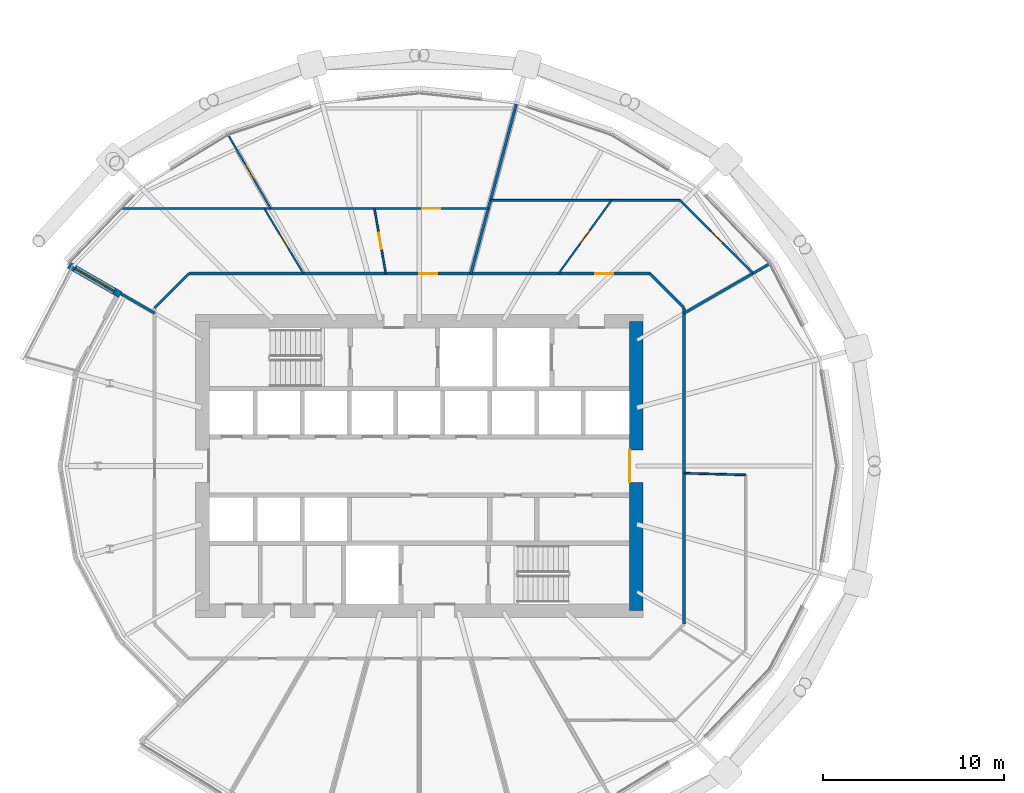
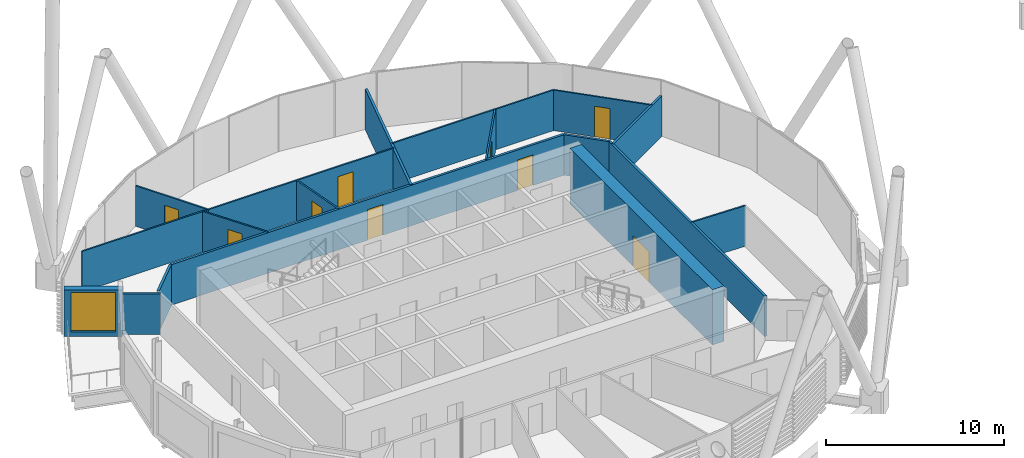
# One storey, part 29 of 39: 18 walls, 9 doors, 1 window, 10 openings.
"""IFC4 building model written with IfcOpenShell, lengths in metres."""

from ifc_helpers import new_model, si_unit, direction, frame, frame_2d, origin, place, context, subcontext, project, spatial, rectangle, extrude, material, layer, layer_set, type_object, element, fill, save


model = new_model("IFC4")

# Units and contexts
model_context = context("Model", 3, precision=1e-05, world=origin(), true_north=direction((0.0, 1.0)))
body_context = subcontext(model_context, "Body", "Model", "MODEL_VIEW")
ifc_project = project(units=[si_unit("LENGTHUNIT", "METRE"), si_unit("AREAUNIT", "SQUARE_METRE"), si_unit("VOLUMEUNIT", "CUBIC_METRE"), si_unit("PLANEANGLEUNIT", "RADIAN"), si_unit("MASSUNIT", "GRAM", prefix="KILO")], contexts=[model_context])

# Site, building, storey
site_placement = place(None, origin())
site = spatial("IfcSite", under=ifc_project, at=site_placement, CompositionType="ELEMENT")
building_placement = place(site_placement, origin())
building = spatial("IfcBuilding", under=site, at=building_placement, Name="Rimbun Link Towers", CompositionType="ELEMENT")
storey_placement = place(building_placement, frame((0.0, 0.0, 115.800048828125)))
storey = spatial("IfcBuildingStorey", under=building, at=storey_placement, Name="L28", CompositionType="ELEMENT", Elevation=115.800048828125)

# Wall, opening, window
ifc_material_1 = material(Name="Dark enamelled glass spandrel on insulated aluminium backpan", Category="aluminium")
ifc_layer_1 = layer(ifc_material_1, 0.3701171875)
ifc_layer_set_1 = layer_set([ifc_layer_1], Name="CS dark enamelled spandrel wall 370")
wall_type_1 = type_object("IfcWallType", Name="CS dark enamelled spandrel wall 370", PredefinedType="STANDARD", material=ifc_layer_set_1)
wall_1_placement = place(storey_placement, frame((-48.298095703125, 9.47900390625, 0.0), z_axis=(0.0, 0.0, 1.0), x_axis=(-0.866040564224, 0.499973740429, 0.0)))
wall_1 = element("IfcWall", 1, at=wall_1_placement, inside=storey, type_object=wall_type_1, Name="Crease spandrel wall", PredefinedType="STANDARD", context=body_context, shape_type="SweptSolid", body=[
    extrude(rectangle(XDim=3.280029296875, YDim=0.3701171875, at=frame_2d((1.64013671875, 0.0))), origin(), (0.0, 0.0, 1.0), 3.176513671875),
])
opening_1_placement = place(wall_1_placement, frame((0.389892578125, 0.0, 0.300048828125)))
opening_1 = element("IfcOpeningElement", 2, at=opening_1_placement, cuts=wall_1, Name="Opening WR25H270", PredefinedType="OPENING", context=body_context, shape_type="SweptSolid", body=[
    extrude(rectangle(XDim=2.5, YDim=2.699951171875, at=frame_2d((1.25, 1.35009765625))), frame((0.0, 0.195068359375, 0.0), z_axis=(0.0, -1.0, 0.0), x_axis=(1.0, 0.0, 0.0)), (0.0, 0.0, 1.0), 0.39013671875),
])
ifc_material_2 = material(Name="Aluminium framed fixed window, dark tinted low-e glass", Category="aluminium")
window_type = type_object("IfcWindowType", Name="WR ribbon window 2500X2700", PartitioningType="SINGLE_PANEL", PredefinedType="WINDOW", material=ifc_material_2)
window_placement = place(opening_1_placement, origin())
window = element("IfcWindow", 3, at=window_placement, inside=storey, type_object=window_type, Name="Crease ribbon window", OverallHeight=2.699951171875, OverallWidth=2.5, PartitioningType="SINGLE_PANEL", PredefinedType="WINDOW", context=body_context, shape_type="SweptSolid", body=[
    extrude(rectangle(XDim=2.5, YDim=2.699951171875, at=frame_2d((1.25, 1.35009765625))), frame((0.0, 0.030029296875, 0.0), z_axis=(0.0, -1.0, 0.0), x_axis=(1.0, 0.0, 0.0)), (0.0, 0.0, 1.0), 0.06005859375),
])
fill(opening_1, window)

# Wall, opening, door
ifc_material_3 = material(Name="Concrete C60/75", Category="concrete")
ifc_layer_2 = layer(ifc_material_3, 0.75)
ifc_layer_set_2 = layer_set([ifc_layer_2], Name="Core shear wall 750")
wall_type_2 = type_object("IfcWallType", Name="Core shear wall 750", PredefinedType="SHEAR", material=ifc_layer_set_2)
wall_2_placement = place(storey_placement, frame((-19.75, -8.0, 0.0), z_axis=(0.0, 0.0, 1.0), x_axis=(0.0, 1.0, 0.0)))
wall_2 = element("IfcWall", 4, at=wall_2_placement, inside=storey, type_object=wall_type_2, Name="L28 T1 core wall E", PredefinedType="SHEAR", context=body_context, shape_type="SweptSolid", body=[
    extrude(rectangle(XDim=16.0, YDim=0.75, at=frame_2d((8.0, 0.0))), origin(), (0.0, 0.0, 1.0), 3.800048828125),
])
opening_2_placement = place(wall_2_placement, frame((7.10009765625, 0.0, 0.0)))
opening_2 = element("IfcOpeningElement", 5, at=opening_2_placement, cuts=wall_2, Name="Opening C1DCL01E", PredefinedType="OPENING", context=body_context, shape_type="SweptSolid", body=[
    extrude(rectangle(XDim=1.800048828125, YDim=2.10009765625, at=frame_2d((0.89990234375, 1.050048828125))), frame((0.0, 0.385009765625, 0.0), z_axis=(0.0, -1.0, 0.0), x_axis=(1.0, 0.0, 0.0)), (0.0, 0.0, 1.0), 0.77001953125),
])
ifc_material_4 = material(Name="Steel fire door set", Category="steel")
door_type_1 = type_object("IfcDoorType", Name="Core lobby door double", OperationType="DOUBLE_DOOR_SINGLE_SWING", PredefinedType="DOOR", material=ifc_material_4)
door_1_placement = place(opening_2_placement, origin())
door_1 = element("IfcDoor", 6, at=door_1_placement, inside=storey, type_object=door_type_1, Name="L28 T1 lift lobby door", OperationType="DOUBLE_DOOR_SINGLE_SWING", OverallHeight=2.10009765625, OverallWidth=1.800048828125, PredefinedType="DOOR", context=body_context, shape_type="SweptSolid", body=[
    extrude(rectangle(XDim=1.800048828125, YDim=2.10009765625, at=frame_2d((0.89990234375, 1.050048828125))), frame((0.0, 0.375, 0.0), z_axis=(0.0, -1.0, 0.0), x_axis=(1.0, 0.0, 0.0)), (0.0, 0.0, 1.0), 0.050048828125),
])
fill(opening_2, door_1)

# Wall, openings, doors
ifc_material_5 = material(Name="Plasterboard on steel stud, mineral wool", Category="steel")
ifc_layer_3 = layer(ifc_material_5, 0.14990234375)
ifc_layer_set_3 = layer_set([ifc_layer_3], Name="Corridor wall EI 30 150 mm")
wall_type_3 = type_object("IfcWallType", Name="Corridor wall EI 30 150 mm", PredefinedType="PARTITIONING", material=ifc_layer_set_3)
wall_3_placement = place(storey_placement, frame((-44.501708984375, 10.64990234375, 0.0), z_axis=(0.0, 0.0, 1.0), x_axis=(1.0, 0.0, 0.0)))
wall_3 = element("IfcWall", 7, at=wall_3_placement, inside=storey, type_object=wall_type_3, Name="Corridor wall EI 30 150 mm", PredefinedType="PARTITIONING", context=body_context, shape_type="SweptSolid", body=[
    extrude(rectangle(XDim=25.50341796875, YDim=0.14990234375, at=frame_2d((12.751708984375, 0.0))), origin(), (0.0, 0.0, 1.0), 2.779052734375),
])
opening_3_placement = place(wall_3_placement, frame((22.479248046875, 0.0, 0.0)))
opening_3 = element("IfcOpeningElement", 8, at=opening_3_placement, cuts=wall_3, Name="Opening D01", PredefinedType="OPENING", context=body_context, shape_type="SweptSolid", body=[
    extrude(rectangle(XDim=1.0, YDim=2.10009765625, at=frame_2d((0.5, 1.050048828125))), frame((0.0, 0.0849609375, 0.0), z_axis=(0.0, -1.0, 0.0), x_axis=(1.0, 0.0, 0.0)), (0.0, 0.0, 1.0), 0.169921875),
])
opening_4_placement = place(wall_3_placement, frame((12.750244140625, 0.0, 0.0)))
opening_4 = element("IfcOpeningElement", 9, at=opening_4_placement, cuts=wall_3, Name="Opening D01", PredefinedType="OPENING", context=body_context, shape_type="SweptSolid", body=[
    extrude(rectangle(XDim=1.0, YDim=2.10009765625, at=frame_2d((0.5, 1.050048828125))), frame((0.0, 0.0849609375, 0.0), z_axis=(0.0, -1.0, 0.0), x_axis=(1.0, 0.0, 0.0)), (0.0, 0.0, 1.0), 0.169921875),
])
ifc_material_6 = material(Name="Fire-resisting timber door leaf", Category="wood")
door_type_2 = type_object("IfcDoorType", Name="Fire door FD30S 1000", OperationType="NOTDEFINED", PredefinedType="DOOR", material=ifc_material_6)
door_2_placement = place(opening_3_placement, origin())
door_2 = element("IfcDoor", 10, at=door_2_placement, inside=storey, type_object=door_type_2, Name="Fire door FD30S 1000 to Reception", OperationType="SINGLE_SWING_LEFT", OverallHeight=2.10009765625, OverallWidth=1.0, PredefinedType="DOOR", context=body_context, shape_type="SweptSolid", body=[
    extrude(rectangle(XDim=1.0, YDim=2.10009765625, at=frame_2d((0.5, 1.050048828125))), frame((0.0, 0.02490234375, 0.0), z_axis=(0.0, -1.0, 0.0), x_axis=(1.0, 0.0, 0.0)), (0.0, 0.0, 1.0), 0.050048828125),
])
fill(opening_3, door_2)
door_3_placement = place(opening_4_placement, origin())
door_3 = element("IfcDoor", 11, at=door_3_placement, inside=storey, type_object=door_type_2, Name="Fire door FD30S 1000 to Reception", OperationType="SINGLE_SWING_RIGHT", OverallHeight=2.10009765625, OverallWidth=1.0, PredefinedType="DOOR", context=body_context, shape_type="SweptSolid", body=[
    extrude(rectangle(XDim=1.0, YDim=2.10009765625, at=frame_2d((0.5, 1.050048828125))), frame((0.0, 0.02490234375, 0.0), z_axis=(0.0, -1.0, 0.0), x_axis=(1.0, 0.0, 0.0)), (0.0, 0.0, 1.0), 0.050048828125),
])
fill(opening_4, door_3)

# Walls
wall_4_placement = place(storey_placement, frame((-17.10009765625, 8.751708984375, 0.0), z_axis=(0.0, 0.0, 1.0), x_axis=(-0.707106781187, 0.707106781187, 0.0)))
element("IfcWall", 12, at=wall_4_placement, inside=storey, type_object=wall_type_3, Name="Corridor wall EI 30 150 mm", PredefinedType="PARTITIONING", context=body_context, shape_type="SweptSolid", body=[
    extrude(rectangle(XDim=2.6845703125, YDim=0.14990234375, at=frame_2d((1.34228515625, 0.0))), origin(), (0.0, 0.0, 1.0), 2.779052734375),
])
wall_5_placement = place(storey_placement, frame((-17.10009765625, -8.751708984375, 0.0), z_axis=(0.0, 0.0, 1.0), x_axis=(0.0, 1.0, 0.0)))
element("IfcWall", 13, at=wall_5_placement, inside=storey, type_object=wall_type_3, Name="Corridor wall EI 30 150 mm", PredefinedType="PARTITIONING", context=body_context, shape_type="SweptSolid", body=[
    extrude(rectangle(XDim=17.50341796875, YDim=0.14990234375, at=frame_2d((8.751708984375, 0.0))), origin(), (0.0, 0.0, 1.0), 2.779052734375),
])
wall_6_placement = place(storey_placement, frame((-44.501708984375, 10.64990234375, 0.0), z_axis=(0.0, 0.0, 1.0), x_axis=(-0.707106781187, -0.707106781187, 0.0)))
element("IfcWall", 14, at=wall_6_placement, inside=storey, type_object=wall_type_3, Name="Corridor wall EI 30 150 mm", PredefinedType="PARTITIONING", context=body_context, shape_type="SweptSolid", body=[
    extrude(rectangle(XDim=2.6845703125, YDim=0.14990234375, at=frame_2d((1.34228515625, 0.0))), origin(), (0.0, 0.0, 1.0), 2.779052734375),
])
ifc_material_7 = material(Name="Plasterboard on steel stud", Category="steel")
ifc_layer_4 = layer(ifc_material_7, 0.10009765625)
ifc_layer_set_4 = layer_set([ifc_layer_4], Name="Plasterboard partition 100 mm")
wall_type_4 = type_object("IfcWallType", Name="Plasterboard partition 100 mm", PredefinedType="PARTITIONING", material=ifc_layer_set_4)
wall_7_placement = place(storey_placement, frame((-13.679931640625, -0.4921875, 0.0), z_axis=(0.0, 0.0, 1.0), x_axis=(-0.999628430249, 0.027258052706, 0.0)))
element("IfcWall", 15, at=wall_7_placement, inside=storey, type_object=wall_type_4, Name="Plasterboard partition 100 mm", PredefinedType="PARTITIONING", context=body_context, shape_type="SweptSolid", body=[
    extrude(rectangle(XDim=3.42138671875, YDim=0.10009765625, at=frame_2d((1.710693359375, 0.0))), origin(), (0.0, 0.0, 1.0), 2.779052734375),
])

# Wall, opening, door
wall_8_placement = place(storey_placement, frame((-24.04638671875, 10.64990234375, 0.0), z_axis=(0.0, 0.0, 1.0), x_axis=(0.586069984191, 0.810260435681, 0.0)))
wall_8 = element("IfcWall", 16, at=wall_8_placement, inside=storey, type_object=wall_type_4, Name="Plasterboard partition 100 mm", PredefinedType="PARTITIONING", context=body_context, shape_type="SweptSolid", body=[
    extrude(rectangle(XDim=4.99853515625, YDim=0.10009765625, at=frame_2d((2.499267578125, 0.0))), origin(), (0.0, 0.0, 1.0), 2.779052734375),
])
opening_5_placement = place(wall_8_placement, frame((2.04931640625, 0.0, 0.0)))
opening_5 = element("IfcOpeningElement", 17, at=opening_5_placement, cuts=wall_8, Name="Opening D04", PredefinedType="OPENING", context=body_context, shape_type="SweptSolid", body=[
    extrude(rectangle(XDim=0.89990234375, YDim=2.10009765625, at=frame_2d((0.449951171875, 1.050048828125))), frame((0.0, 0.06005859375, 0.0), z_axis=(0.0, -1.0, 0.0), x_axis=(1.0, 0.0, 0.0)), (0.0, 0.0, 1.0), 0.1201171875),
])
ifc_material_8 = material(Name="Timber door leaf", Category="wood")
door_type_3 = type_object("IfcDoorType", Name="Flush door 900", OperationType="NOTDEFINED", PredefinedType="DOOR", material=ifc_material_8)
door_4_placement = place(opening_5_placement, origin())
door_4 = element("IfcDoor", 18, at=door_4_placement, inside=storey, type_object=door_type_3, Name="Flush door 900 to Pantry", OperationType="SINGLE_SWING_RIGHT", OverallHeight=2.10009765625, OverallWidth=0.89990234375, PredefinedType="DOOR", context=body_context, shape_type="SweptSolid", body=[
    extrude(rectangle(XDim=0.89990234375, YDim=2.10009765625, at=frame_2d((0.449951171875, 1.050048828125))), frame((0.0, 0.02490234375, 0.0), z_axis=(0.0, -1.0, 0.0), x_axis=(1.0, 0.0, 0.0)), (0.0, 0.0, 1.0), 0.050048828125),
])
fill(opening_5, door_4)

wall_9_placement = place(storey_placement, frame((-17.32080078125, 14.699951171875, 0.0), z_axis=(0.0, 0.0, 1.0), x_axis=(0.707128157168, -0.707085404559, 0.0)))
wall_9 = element("IfcWall", 19, at=wall_9_placement, inside=storey, type_object=wall_type_4, Name="Plasterboard partition 100 mm", PredefinedType="PARTITIONING", context=body_context, shape_type="SweptSolid", body=[
    extrude(rectangle(XDim=5.71044921875, YDim=0.10009765625, at=frame_2d((2.855224609375, 0.0))), origin(), (0.0, 0.0, 1.0), 2.779052734375),
])
opening_6_placement = place(wall_9_placement, frame((2.4052734375, 0.0, 0.0)))
opening_6 = element("IfcOpeningElement", 20, at=opening_6_placement, cuts=wall_9, Name="Opening D04", PredefinedType="OPENING", context=body_context, shape_type="SweptSolid", body=[
    extrude(rectangle(XDim=0.89990234375, YDim=2.10009765625, at=frame_2d((0.449951171875, 1.050048828125))), frame((0.0, 0.06005859375, 0.0), z_axis=(0.0, -1.0, 0.0), x_axis=(1.0, 0.0, 0.0)), (0.0, 0.0, 1.0), 0.1201171875),
])
door_5_placement = place(opening_6_placement, origin())
door_5 = element("IfcDoor", 21, at=door_5_placement, inside=storey, type_object=door_type_3, Name="Flush door 900 to Meeting room", OperationType="SINGLE_SWING_LEFT", OverallHeight=2.10009765625, OverallWidth=0.89990234375, PredefinedType="DOOR", context=body_context, shape_type="SweptSolid", body=[
    extrude(rectangle(XDim=0.89990234375, YDim=2.10009765625, at=frame_2d((0.449951171875, 1.050048828125))), frame((0.0, 0.02490234375, 0.0), z_axis=(0.0, -1.0, 0.0), x_axis=(1.0, 0.0, 0.0)), (0.0, 0.0, 1.0), 0.050048828125),
])
fill(opening_6, door_5)

# Wall
wall_10_placement = place(storey_placement, frame((-17.32080078125, 14.699951171875, 0.0), z_axis=(0.0, 0.0, 1.0), x_axis=(-1.0, 0.0, 0.0)))
element("IfcWall", 22, at=wall_10_placement, inside=storey, type_object=wall_type_4, Name="Plasterboard partition 100 mm", PredefinedType="PARTITIONING", context=body_context, shape_type="SweptSolid", body=[
    extrude(rectangle(XDim=10.490478515625, YDim=0.10009765625, at=frame_2d((5.2451171875, 0.0))), origin(), (0.0, 0.0, 1.0), 2.779052734375),
])

# Wall, opening, door
wall_11_placement = place(storey_placement, frame((-33.606689453125, 10.64990234375, 0.0), z_axis=(0.0, 0.0, 1.0), x_axis=(-0.171696410246, 0.985149908749, 0.0)))
wall_11 = element("IfcWall", 23, at=wall_11_placement, inside=storey, type_object=wall_type_4, Name="Plasterboard partition 100 mm", PredefinedType="PARTITIONING", context=body_context, shape_type="SweptSolid", body=[
    extrude(rectangle(XDim=3.654296875, YDim=0.10009765625, at=frame_2d((1.8271484375, 0.0))), origin(), (0.0, 0.0, 1.0), 2.779052734375),
])
opening_7_placement = place(wall_11_placement, frame((1.377197265625, 0.0, 0.0)))
opening_7 = element("IfcOpeningElement", 24, at=opening_7_placement, cuts=wall_11, Name="Opening D04", PredefinedType="OPENING", context=body_context, shape_type="SweptSolid", body=[
    extrude(rectangle(XDim=0.89990234375, YDim=2.10009765625, at=frame_2d((0.449951171875, 1.050048828125))), frame((0.0, 0.06005859375, 0.0), z_axis=(0.0, -1.0, 0.0), x_axis=(1.0, 0.0, 0.0)), (0.0, 0.0, 1.0), 0.1201171875),
])
door_6_placement = place(opening_7_placement, origin())
door_6 = element("IfcDoor", 25, at=door_6_placement, inside=storey, type_object=door_type_3, Name="Flush door 900 to Meeting room", OperationType="SINGLE_SWING_RIGHT", OverallHeight=2.10009765625, OverallWidth=0.89990234375, PredefinedType="DOOR", context=body_context, shape_type="SweptSolid", body=[
    extrude(rectangle(XDim=0.89990234375, YDim=2.10009765625, at=frame_2d((0.449951171875, 1.050048828125))), frame((0.0, 0.02490234375, 0.0), z_axis=(0.0, -1.0, 0.0), x_axis=(1.0, 0.0, 0.0)), (0.0, 0.0, 1.0), 0.050048828125),
])
fill(opening_7, door_6)

wall_12_placement = place(storey_placement, frame((-39.977294921875, 14.25, 0.0), z_axis=(0.0, 0.0, 1.0), x_axis=(1.0, 0.0, 0.0)))
wall_12 = element("IfcWall", 26, at=wall_12_placement, inside=storey, type_object=wall_type_4, Name="Plasterboard partition 100 mm", PredefinedType="PARTITIONING", context=body_context, shape_type="SweptSolid", body=[
    extrude(rectangle(XDim=12.045654296875, YDim=0.10009765625, at=frame_2d((6.02294921875, 0.0))), origin(), (0.0, 0.0, 1.0), 2.779052734375),
])
opening_8_placement = place(wall_12_placement, frame((8.37939453125, 0.0, 0.0)))
opening_8 = element("IfcOpeningElement", 27, at=opening_8_placement, cuts=wall_12, Name="Opening D03", PredefinedType="OPENING", context=body_context, shape_type="SweptSolid", body=[
    extrude(rectangle(XDim=1.0, YDim=2.10009765625, at=frame_2d((0.5, 1.050048828125))), frame((0.0, 0.06005859375, 0.0), z_axis=(0.0, -1.0, 0.0), x_axis=(1.0, 0.0, 0.0)), (0.0, 0.0, 1.0), 0.1201171875),
])
ifc_material_9 = material(Name="Timber door leaf", Category="wood")
door_type_4 = type_object("IfcDoorType", Name="Flush door 1000", OperationType="NOTDEFINED", PredefinedType="DOOR", material=ifc_material_9)
door_7_placement = place(opening_8_placement, origin())
door_7 = element("IfcDoor", 28, at=door_7_placement, inside=storey, type_object=door_type_4, Name="Flush door 1000 to Co-working space", OperationType="SINGLE_SWING_LEFT", OverallHeight=2.10009765625, OverallWidth=1.0, PredefinedType="DOOR", context=body_context, shape_type="SweptSolid", body=[
    extrude(rectangle(XDim=1.0, YDim=2.10009765625, at=frame_2d((0.5, 1.050048828125))), frame((0.0, 0.02490234375, 0.0), z_axis=(0.0, -1.0, 0.0), x_axis=(1.0, 0.0, 0.0)), (0.0, 0.0, 1.0), 0.050048828125),
])
fill(opening_8, door_7)

wall_13_placement = place(storey_placement, frame((-38.1630859375, 10.64990234375, 0.0), z_axis=(0.0, 0.0, 1.0), x_axis=(-0.515836465497, 0.856687072894, 0.0)))
wall_13 = element("IfcWall", 29, at=wall_13_placement, inside=storey, type_object=wall_type_4, Name="Plasterboard partition 100 mm", PredefinedType="PARTITIONING", context=body_context, shape_type="SweptSolid", body=[
    extrude(rectangle(XDim=4.202392578125, YDim=0.10009765625, at=frame_2d((2.10107421875, 0.0))), origin(), (0.0, 0.0, 1.0), 2.779052734375),
])
opening_9_placement = place(wall_13_placement, frame((1.651123046875, 0.0, 0.0)))
opening_9 = element("IfcOpeningElement", 30, at=opening_9_placement, cuts=wall_13, Name="Opening D04", PredefinedType="OPENING", context=body_context, shape_type="SweptSolid", body=[
    extrude(rectangle(XDim=0.89990234375, YDim=2.10009765625, at=frame_2d((0.449951171875, 1.050048828125))), frame((0.0, 0.06005859375, 0.0), z_axis=(0.0, -1.0, 0.0), x_axis=(1.0, 0.0, 0.0)), (0.0, 0.0, 1.0), 0.1201171875),
])
door_8_placement = place(opening_9_placement, origin())
door_8 = element("IfcDoor", 31, at=door_8_placement, inside=storey, type_object=door_type_3, Name="Flush door 900 to Pantry", OperationType="SINGLE_SWING_LEFT", OverallHeight=2.10009765625, OverallWidth=0.89990234375, PredefinedType="DOOR", context=body_context, shape_type="SweptSolid", body=[
    extrude(rectangle(XDim=0.89990234375, YDim=2.10009765625, at=frame_2d((0.449951171875, 1.050048828125))), frame((0.0, 0.02490234375, 0.0), z_axis=(0.0, -1.0, 0.0), x_axis=(1.0, 0.0, 0.0)), (0.0, 0.0, 1.0), 0.050048828125),
])
fill(opening_9, door_8)

# Wall
wall_14_placement = place(storey_placement, frame((-39.977294921875, 14.25, 0.0), z_axis=(0.0, 0.0, 1.0), x_axis=(-1.0, 0.0, 0.0)))
element("IfcWall", 32, at=wall_14_placement, inside=storey, type_object=wall_type_4, Name="Plasterboard partition 100 mm", PredefinedType="PARTITIONING", context=body_context, shape_type="SweptSolid", body=[
    extrude(rectangle(XDim=8.2080078125, YDim=0.10009765625, at=frame_2d((4.10400390625, 0.0))), origin(), (0.0, 0.0, 1.0), 2.779052734375),
])

# Wall, opening, door
wall_15_placement = place(storey_placement, frame((-39.977294921875, 14.25, 0.0), z_axis=(0.0, 0.0, 1.0), x_axis=(-0.499992958048, 0.866029469419, 0.0)))
wall_15 = element("IfcWall", 33, at=wall_15_placement, inside=storey, type_object=wall_type_4, Name="Plasterboard partition 100 mm", PredefinedType="PARTITIONING", context=body_context, shape_type="SweptSolid", body=[
    extrude(rectangle(XDim=4.6875, YDim=0.10009765625, at=frame_2d((2.34375, 0.0))), origin(), (0.0, 0.0, 1.0), 2.779052734375),
])
opening_10_placement = place(wall_15_placement, frame((1.893798828125, 0.0, 0.0)))
opening_10 = element("IfcOpeningElement", 34, at=opening_10_placement, cuts=wall_15, Name="Opening D04", PredefinedType="OPENING", context=body_context, shape_type="SweptSolid", body=[
    extrude(rectangle(XDim=0.89990234375, YDim=2.10009765625, at=frame_2d((0.449951171875, 1.050048828125))), frame((0.0, 0.06005859375, 0.0), z_axis=(0.0, -1.0, 0.0), x_axis=(1.0, 0.0, 0.0)), (0.0, 0.0, 1.0), 0.1201171875),
])
door_9_placement = place(opening_10_placement, origin())
door_9 = element("IfcDoor", 35, at=door_9_placement, inside=storey, type_object=door_type_3, Name="Flush door 900 to Serviced office", OperationType="SINGLE_SWING_RIGHT", OverallHeight=2.10009765625, OverallWidth=0.89990234375, PredefinedType="DOOR", context=body_context, shape_type="SweptSolid", body=[
    extrude(rectangle(XDim=0.89990234375, YDim=2.10009765625, at=frame_2d((0.449951171875, 1.050048828125))), frame((0.0, 0.02490234375, 0.0), z_axis=(0.0, -1.0, 0.0), x_axis=(1.0, 0.0, 0.0)), (0.0, 0.0, 1.0), 0.050048828125),
])
fill(opening_10, door_9)

# Walls
ifc_material_10 = material(Name="Plasterboard on steel stud, mineral wool", Category="steel")
ifc_layer_5 = layer(ifc_material_10, 0.14990234375)
ifc_layer_set_5 = layer_set([ifc_layer_5], Name="Tenancy separation wall EI 60 150 mm")
wall_type_5 = type_object("IfcWallType", Name="Tenancy separation wall EI 60 150 mm", PredefinedType="PARTITIONING", material=ifc_layer_set_5)
wall_16_placement = place(storey_placement, frame((-17.10009765625, 8.458251953125, 0.0), z_axis=(0.0, 0.0, 1.0), x_axis=(0.866036509673, 0.499980763544, 0.0)))
element("IfcWall", 36, at=wall_16_placement, inside=storey, type_object=wall_type_5, Name="Tenancy separation wall EI 60 150 mm", PredefinedType="PARTITIONING", context=body_context, shape_type="SweptSolid", body=[
    extrude(rectangle(XDim=5.454345703125, YDim=0.14990234375, at=frame_2d((2.72705078125, 0.0))), origin(), (0.0, 0.0, 1.0), 2.779052734375),
])
wall_17_placement = place(storey_placement, frame((-28.896240234375, 10.64990234375, 0.0), z_axis=(0.0, 0.0, 1.0), x_axis=(0.258798055813, 0.965931450108, 0.0)))
element("IfcWall", 37, at=wall_17_placement, inside=storey, type_object=wall_type_5, Name="Tenancy separation wall EI 60 150 mm", PredefinedType="PARTITIONING", context=body_context, shape_type="SweptSolid", body=[
    extrude(rectangle(XDim=9.71484375, YDim=0.14990234375, at=frame_2d((4.857421875, 0.0))), origin(), (0.0, 0.0, 1.0), 2.779052734375),
])
wall_18_placement = place(storey_placement, frame((-46.39990234375, 8.458251953125, 0.0), z_axis=(0.0, 0.0, 1.0), x_axis=(-0.866030838723, 0.499990586292, 0.0)))
element("IfcWall", 38, at=wall_18_placement, inside=storey, type_object=wall_type_5, Name="Tenancy separation wall EI 60 150 mm", PredefinedType="PARTITIONING", context=body_context, shape_type="SweptSolid", body=[
    extrude(rectangle(XDim=2.154296875, YDim=0.14990234375, at=frame_2d((1.0771484375, 0.0))), origin(), (0.0, 0.0, 1.0), 2.779052734375),
])

save(model, "model.ifc")
